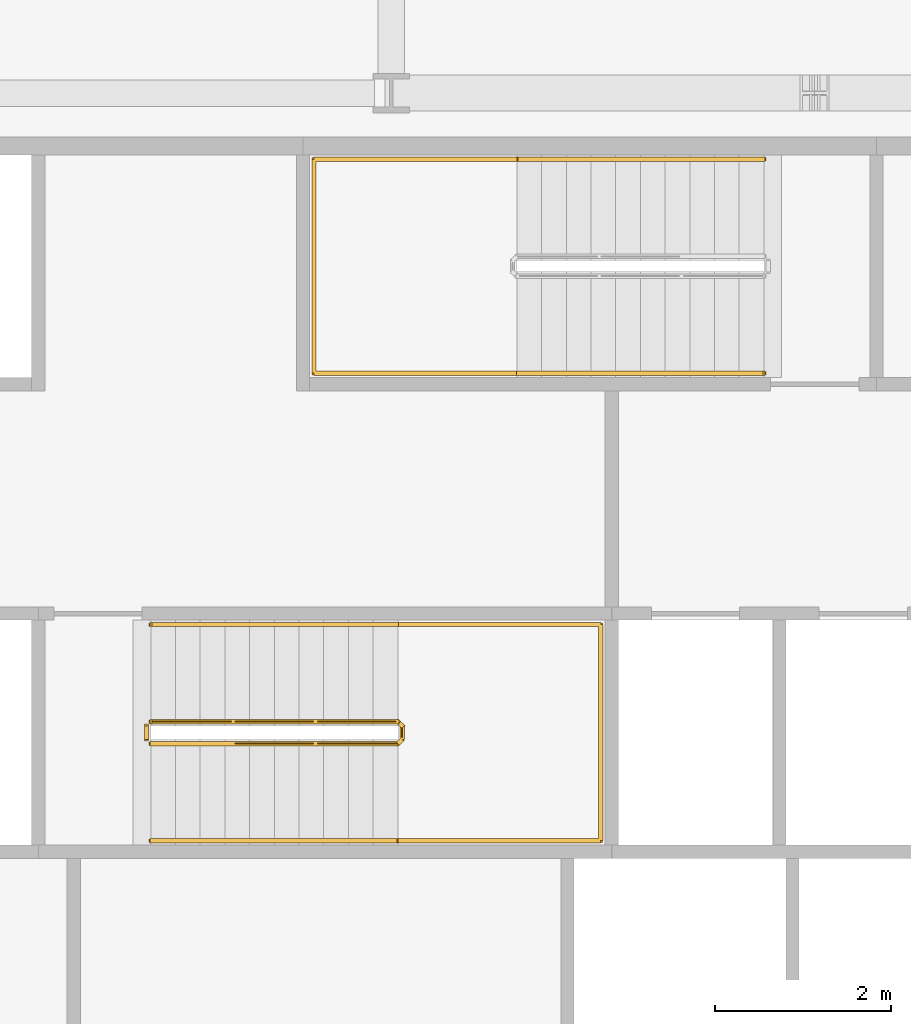
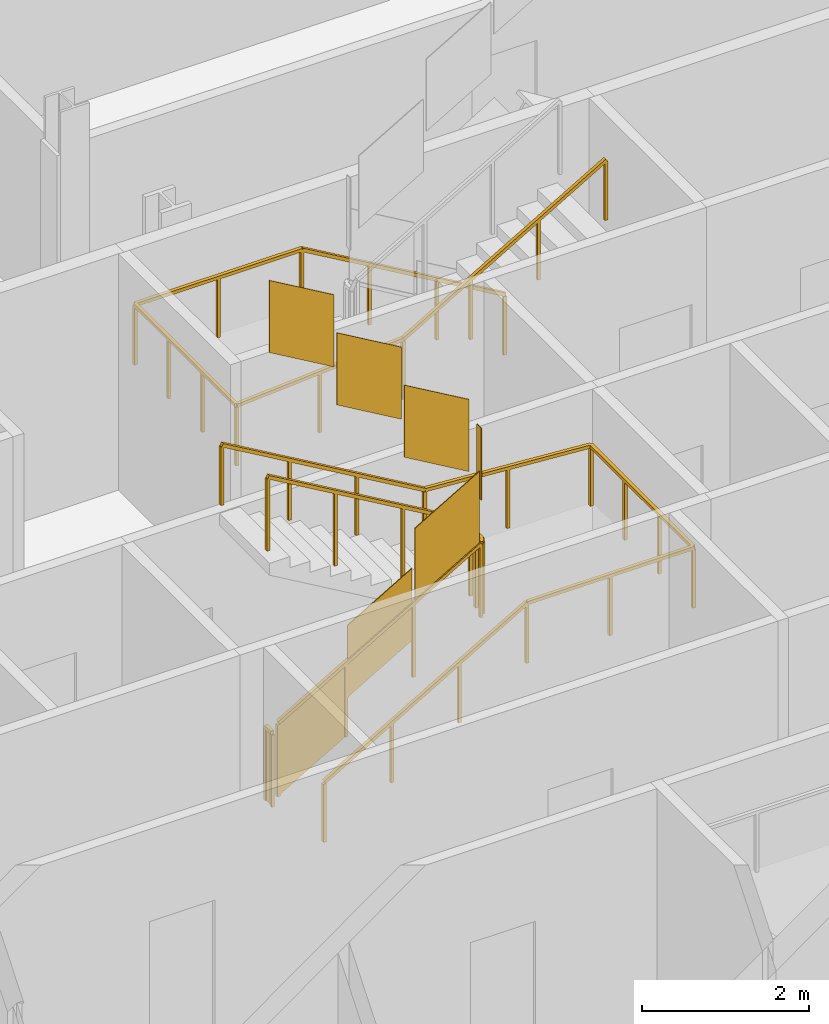
# One storey, part 16 of 21: 4 railings.
"""IFC4 building model written with IfcOpenShell, lengths in metres."""

from ifc_helpers import new_model, si_unit, direction, frame, origin, origin_2d, place, context, subcontext, project, spatial, polyline, rectangle, outline, extrude, material, type_object, element, save


model = new_model("IFC4")

# Units and contexts
model_context = context("Model", 3, precision=1e-05, world=origin(), true_north=direction((0.0, 1.0)))
body_context = subcontext(model_context, "Body", "Model", "MODEL_VIEW")
ifc_project = project(units=[si_unit("LENGTHUNIT", "METRE"), si_unit("AREAUNIT", "SQUARE_METRE"), si_unit("VOLUMEUNIT", "CUBIC_METRE"), si_unit("PLANEANGLEUNIT", "RADIAN"), si_unit("MASSUNIT", "GRAM", prefix="KILO")], contexts=[model_context])

# Site, building, storey
site_placement = place(None, origin())
site = spatial("IfcSite", under=ifc_project, at=site_placement, CompositionType="ELEMENT")
building_placement = place(site_placement, origin())
building = spatial("IfcBuilding", under=site, at=building_placement, Name="Cairn Pilgrim Tower", CompositionType="ELEMENT")
storey_placement = place(building_placement, frame((0.0, 0.0, 179.39990234375)))
storey = spatial("IfcBuildingStorey", under=building, at=storey_placement, Name="L45", CompositionType="ELEMENT", Elevation=179.39990234375)

# Railings
ifc_material = material(Name="Painted steel", Category="steel")
railing_type_1 = type_object("IfcRailingType", Name="STAIR GUARD 1100", PredefinedType="GUARDRAIL", material=ifc_material)
railing_1_placement = place(storey_placement, frame((4.47509765625, 3.425048828125, 0.163818359375)))
element("IfcRailing", 1, at=railing_1_placement, inside=storey, type_object=railing_type_1, Name="L45 ST-B stair guard 1", PredefinedType="GUARDRAIL", context=body_context, shape_type="SweptSolid", body=[
    extrude(rectangle(XDim=0.048095703125, YDim=0.048095703125, at=origin_2d()), frame((0.0, 0.0, 1.076171875), z_axis=(0.863374499697, 0.0, 0.504563646405), x_axis=(0.0, 1.0, 0.0)), (0.0, 0.0, 1.0), 3.242919921875),
    extrude(rectangle(XDim=0.048095703125, YDim=0.048095703125, at=origin_2d()), frame((2.7998046875, 0.0, 2.71240234375), z_axis=(0.707106781187, 0.707106781187, 0.0), x_axis=(-0.707106781187, 0.707106781187, 0.0)), (0.0, 0.0, 1.0), 0.07080078125),
    extrude(rectangle(XDim=0.048095703125, YDim=0.048095703125, at=origin_2d()), frame((2.849853515625, 0.050048828125, 2.71240234375), z_axis=(0.0, 1.0, 0.0), x_axis=(-1.0, 0.0, 0.0)), (0.0, 0.0, 1.0), 0.14990234375),
    extrude(rectangle(XDim=0.048095703125, YDim=0.048095703125, at=origin_2d()), frame((2.849853515625, 0.199951171875, 2.71240234375), z_axis=(-0.280808744504, 0.280808744504, 0.917765164963), x_axis=(-0.707106781187, -0.707106781187, 0.0)), (0.0, 0.0, 1.0), 0.17822265625),
    extrude(rectangle(XDim=0.048095703125, YDim=0.048095703125, at=origin_2d()), frame((2.7998046875, 0.25, 2.8759765625), z_axis=(-0.863341702679, 0.0, 0.504619762213), x_axis=(0.0, -1.0, 0.0)), (0.0, 0.0, 1.0), 3.242919921875),
    extrude(rectangle(XDim=0.0419921875, YDim=0.0419921875, at=origin_2d()), origin(), (0.0, 0.0, 1.0), 1.052001953125),
    extrude(rectangle(XDim=0.0419921875, YDim=0.0419921875, at=origin_2d()), frame((0.933349609375, 0.0, 0.54541015625)), (0.0, 0.0, 1.0), 1.052001953125),
    extrude(rectangle(XDim=0.0419921875, YDim=0.0419921875, at=origin_2d()), frame((1.866455078125, 0.0, 1.0908203125)), (0.0, 0.0, 1.0), 1.052001953125),
    extrude(rectangle(XDim=0.0419921875, YDim=0.0419921875, at=origin_2d()), frame((2.7998046875, 0.0, 1.63623046875)), (0.0, 0.0, 1.0), 1.052001953125),
    extrude(rectangle(XDim=0.0419921875, YDim=0.0419921875, at=origin_2d()), frame((2.849853515625, 0.050048828125, 1.63623046875)), (0.0, 0.0, 1.0), 1.052001953125),
    extrude(rectangle(XDim=0.0419921875, YDim=0.0419921875, at=origin_2d()), frame((2.849853515625, 0.199951171875, 1.63623046875)), (0.0, 0.0, 1.0), 1.052001953125),
    extrude(rectangle(XDim=0.0419921875, YDim=0.0419921875, at=origin_2d()), frame((2.7998046875, 0.25, 1.7998046875)), (0.0, 0.0, 1.0), 1.052001953125),
    extrude(rectangle(XDim=0.0419921875, YDim=0.0419921875, at=origin_2d()), frame((1.866455078125, 0.25, 2.34521484375)), (0.0, 0.0, 1.0), 1.052001953125),
    extrude(rectangle(XDim=0.0419921875, YDim=0.0419921875, at=origin_2d()), frame((0.933349609375, 0.25, 2.890869140625)), (0.0, 0.0, 1.0), 1.052001953125),
    extrude(rectangle(XDim=0.0419921875, YDim=0.0419921875, at=origin_2d()), frame((0.0, 0.25, 3.436279296875)), (0.0, 0.0, 1.0), 1.052001953125),
    extrude(outline(polyline([(0.02099609375, 0.01220703125), (0.912353515625, 0.533203125), (0.912353515625, 1.585205078125), (0.02099609375, 1.064208984375), (0.02099609375, 0.01220703125)])), frame((0.0, 0.005859375, 0.0), z_axis=(0.0, -1.0, 0.0), x_axis=(1.0, 0.0, 0.0)), (0.0, 0.0, 1.0), 0.011962890625),
    extrude(outline(polyline([(0.02099609375, 0.5576171875), (0.912353515625, 1.07861328125), (0.912353515625, 2.130615234375), (0.02099609375, 1.609619140625), (0.02099609375, 0.5576171875)])), frame((0.933349609375, 0.005859375, 0.54541015625), z_axis=(0.0, -1.0, 0.0), x_axis=(1.0, 0.0, 0.0)), (0.0, 0.0, 1.0), 0.011962890625),
    extrude(outline(polyline([(0.02099609375, 1.10302734375), (0.912353515625, 1.6240234375), (0.912353515625, 2.676025390625), (0.02099609375, 2.155029296875), (0.02099609375, 1.10302734375)])), frame((1.866455078125, 0.005859375, 1.0908203125), z_axis=(0.0, -1.0, 0.0), x_axis=(1.0, 0.0, 0.0)), (0.0, 0.0, 1.0), 0.011962890625),
    extrude(outline(polyline([(0.02099609375, 1.63623046875), (0.12890625, 1.63623046875), (0.12890625, 2.688232421875), (0.02099609375, 2.688232421875), (0.02099609375, 1.63623046875)])), frame((2.84375, 0.050048828125, 1.63623046875), z_axis=(1.0, 0.0, 0.0), x_axis=(0.0, 1.0, 0.0)), (0.0, 0.0, 1.0), 0.011962890625),
    extrude(outline(polyline([(0.02099609375, 1.81201171875), (0.912353515625, 2.3330078125), (0.912353515625, 3.385009765625), (0.02099609375, 2.864013671875), (0.02099609375, 1.81201171875)])), frame((2.7998046875, 0.244140625, 1.7998046875), z_axis=(0.0, 1.0, 0.0), x_axis=(-1.0, 0.0, 0.0)), (0.0, 0.0, 1.0), 0.011962890625),
    extrude(outline(polyline([(0.02099609375, 2.357666015625), (0.912353515625, 2.87841796875), (0.912353515625, 3.930419921875), (0.02099609375, 3.40966796875), (0.02099609375, 2.357666015625)])), frame((1.866455078125, 0.244140625, 2.34521484375), z_axis=(0.0, 1.0, 0.0), x_axis=(-1.0, 0.0, 0.0)), (0.0, 0.0, 1.0), 0.011962890625),
    extrude(outline(polyline([(0.02099609375, 2.903076171875), (0.912353515625, 3.424072265625), (0.912353515625, 4.47607421875), (0.02099609375, 3.955078125), (0.02099609375, 2.903076171875)])), frame((0.933349609375, 0.244140625, 2.890869140625), z_axis=(0.0, 1.0, 0.0), x_axis=(-1.0, 0.0, 0.0)), (0.0, 0.0, 1.0), 0.011962890625),
])
railing_2_placement = place(storey_placement, frame((4.425048828125, 3.47509765625, 0.0)))
element("IfcRailing", 2, at=railing_2_placement, inside=storey, type_object=railing_type_1, Name="L45 ST-B stair guard 2", PredefinedType="GUARDRAIL", context=body_context, shape_type="SweptSolid", body=[
    extrude(rectangle(XDim=0.048095703125, YDim=0.048095703125, at=origin_2d()), frame((0.0, 0.0, 1.076171875), z_axis=(0.0, 1.0, 0.0), x_axis=(-1.0, 0.0, 0.0)), (0.0, 0.0, 1.0), 0.14990234375),
    extrude(rectangle(XDim=0.0419921875, YDim=0.0419921875, at=origin_2d()), origin(), (0.0, 0.0, 1.0), 1.052001953125),
    extrude(rectangle(XDim=0.0419921875, YDim=0.0419921875, at=origin_2d()), frame((0.0, 0.14990234375, 0.0)), (0.0, 0.0, 1.0), 1.052001953125),
    extrude(outline(polyline([(0.02099609375, 0.0), (0.12890625, 0.0), (0.12890625, 1.052001953125), (0.02099609375, 1.052001953125), (0.02099609375, 0.0)])), frame((-0.005859375, 0.0, 0.0), z_axis=(1.0, 0.0, 0.0), x_axis=(0.0, 1.0, 0.0)), (0.0, 0.0, 1.0), 0.011962890625),
])
railing_type_2 = type_object("IfcRailingType", Name="STAIR HANDRAIL 900", PredefinedType="HANDRAIL", material=ifc_material)
railing_3_placement = place(storey_placement, frame((4.47509765625, 2.324951171875, 0.163818359375)))
element("IfcRailing", 3, at=railing_3_placement, inside=storey, type_object=railing_type_2, Name="L45 ST-B stair handrail 1", PredefinedType="HANDRAIL", context=body_context, shape_type="SweptSolid", body=[
    extrude(rectangle(XDim=0.048095703125, YDim=0.048095703125, at=origin_2d()), frame((0.0, 0.0, 0.8759765625), z_axis=(0.863374499697, 0.0, 0.504563646405), x_axis=(0.0, 1.0, 0.0)), (0.0, 0.0, 1.0), 3.242919921875),
    extrude(rectangle(XDim=0.048095703125, YDim=0.048095703125, at=origin_2d()), frame((2.7998046875, 0.0, 2.51220703125), z_axis=(1.0, 0.0, 0.0), x_axis=(0.0, 1.0, 0.0)), (0.0, 0.0, 1.0), 2.300048828125),
    extrude(rectangle(XDim=0.048095703125, YDim=0.048095703125, at=origin_2d()), frame((5.099853515625, 0.0, 2.51220703125), z_axis=(0.0, 1.0, 0.0), x_axis=(-1.0, 0.0, 0.0)), (0.0, 0.0, 1.0), 2.449951171875),
    extrude(rectangle(XDim=0.048095703125, YDim=0.048095703125, at=origin_2d()), frame((5.099853515625, 2.449951171875, 2.51220703125), z_axis=(-0.997480687736, 0.0, 0.070938548008), x_axis=(0.0, -1.0, 0.0)), (0.0, 0.0, 1.0), 2.305908203125),
    extrude(rectangle(XDim=0.048095703125, YDim=0.048095703125, at=origin_2d()), frame((2.7998046875, 2.449951171875, 2.67578125), z_axis=(-0.863341702679, 0.0, 0.504619762213), x_axis=(0.0, -1.0, 0.0)), (0.0, 0.0, 1.0), 3.242919921875),
    extrude(rectangle(XDim=0.0419921875, YDim=0.0419921875, at=origin_2d()), origin(), (0.0, 0.0, 1.0), 0.851806640625),
    extrude(rectangle(XDim=0.0419921875, YDim=0.0419921875, at=origin_2d()), frame((0.933349609375, 0.0, 0.54541015625)), (0.0, 0.0, 1.0), 0.851806640625),
    extrude(rectangle(XDim=0.0419921875, YDim=0.0419921875, at=origin_2d()), frame((1.866455078125, 0.0, 1.0908203125)), (0.0, 0.0, 1.0), 0.851806640625),
    extrude(rectangle(XDim=0.0419921875, YDim=0.0419921875, at=origin_2d()), frame((2.7998046875, 0.0, 1.63623046875)), (0.0, 0.0, 1.0), 0.851806640625),
    extrude(rectangle(XDim=0.0419921875, YDim=0.0419921875, at=origin_2d()), frame((3.94970703125, 0.0, 1.63623046875)), (0.0, 0.0, 1.0), 0.851806640625),
    extrude(rectangle(XDim=0.0419921875, YDim=0.0419921875, at=origin_2d()), frame((5.099853515625, 0.0, 1.63623046875)), (0.0, 0.0, 1.0), 0.851806640625),
    extrude(rectangle(XDim=0.0419921875, YDim=0.0419921875, at=origin_2d()), frame((5.099853515625, 0.816650390625, 1.63623046875)), (0.0, 0.0, 1.0), 0.851806640625),
    extrude(rectangle(XDim=0.0419921875, YDim=0.0419921875, at=origin_2d()), frame((5.099853515625, 1.63330078125, 1.63623046875)), (0.0, 0.0, 1.0), 0.851806640625),
    extrude(rectangle(XDim=0.0419921875, YDim=0.0419921875, at=origin_2d()), frame((5.099853515625, 2.449951171875, 1.63623046875)), (0.0, 0.0, 1.0), 0.851806640625),
    extrude(rectangle(XDim=0.0419921875, YDim=0.0419921875, at=origin_2d()), frame((3.94970703125, 2.449951171875, 1.718017578125)), (0.0, 0.0, 1.0), 0.851806640625),
    extrude(rectangle(XDim=0.0419921875, YDim=0.0419921875, at=origin_2d()), frame((2.7998046875, 2.449951171875, 1.7998046875)), (0.0, 0.0, 1.0), 0.851806640625),
    extrude(rectangle(XDim=0.0419921875, YDim=0.0419921875, at=origin_2d()), frame((1.866455078125, 2.449951171875, 2.34521484375)), (0.0, 0.0, 1.0), 0.851806640625),
    extrude(rectangle(XDim=0.0419921875, YDim=0.0419921875, at=origin_2d()), frame((0.933349609375, 2.449951171875, 2.890869140625)), (0.0, 0.0, 1.0), 0.851806640625),
    extrude(rectangle(XDim=0.0419921875, YDim=0.0419921875, at=origin_2d()), frame((0.0, 2.449951171875, 3.436279296875)), (0.0, 0.0, 1.0), 0.851806640625),
])
railing_4_placement = place(storey_placement, frame((11.425048828125, 10.050048828125, 0.163818359375)))
element("IfcRailing", 4, at=railing_4_placement, inside=storey, type_object=railing_type_2, Name="L45 ST-C stair handrail 1", PredefinedType="HANDRAIL", context=body_context, shape_type="SweptSolid", body=[
    extrude(rectangle(XDim=0.048095703125, YDim=0.048095703125, at=origin_2d()), frame((0.0, 0.0, 0.8759765625), z_axis=(-0.863393664356, 0.0, 0.504530851732), x_axis=(0.0, -1.0, 0.0)), (0.0, 0.0, 1.0), 3.2431640625),
    extrude(rectangle(XDim=0.048095703125, YDim=0.048095703125, at=origin_2d()), frame((-2.800048828125, 0.0, 2.51220703125), z_axis=(-1.0, 0.0, 0.0), x_axis=(0.0, -1.0, 0.0)), (0.0, 0.0, 1.0), 2.300048828125),
    extrude(rectangle(XDim=0.048095703125, YDim=0.048095703125, at=origin_2d()), frame((-5.10009765625, 0.0, 2.51220703125), z_axis=(0.0, -1.0, 0.0), x_axis=(1.0, 0.0, 0.0)), (0.0, 0.0, 1.0), 2.425048828125),
    extrude(rectangle(XDim=0.048095703125, YDim=0.048095703125, at=origin_2d()), frame((-5.10009765625, -2.425048828125, 2.51220703125), z_axis=(0.997480687736, 0.0, 0.070938548008), x_axis=(0.0, 1.0, 0.0)), (0.0, 0.0, 1.0), 2.305908203125),
    extrude(rectangle(XDim=0.048095703125, YDim=0.048095703125, at=origin_2d()), frame((-2.800048828125, -2.425048828125, 2.67578125), z_axis=(0.863360870873, 0.0, 0.504586966384), x_axis=(0.0, 1.0, 0.0)), (0.0, 0.0, 1.0), 3.2431640625),
    extrude(rectangle(XDim=0.0419921875, YDim=0.0419921875, at=origin_2d()), origin(), (0.0, 0.0, 1.0), 0.851806640625),
    extrude(rectangle(XDim=0.0419921875, YDim=0.0419921875, at=origin_2d()), frame((-0.933349609375, 0.0, 0.54541015625)), (0.0, 0.0, 1.0), 0.851806640625),
    extrude(rectangle(XDim=0.0419921875, YDim=0.0419921875, at=origin_2d()), frame((-1.86669921875, 0.0, 1.0908203125)), (0.0, 0.0, 1.0), 0.851806640625),
    extrude(rectangle(XDim=0.0419921875, YDim=0.0419921875, at=origin_2d()), frame((-2.800048828125, 0.0, 1.63623046875)), (0.0, 0.0, 1.0), 0.851806640625),
    extrude(rectangle(XDim=0.0419921875, YDim=0.0419921875, at=origin_2d()), frame((-3.9501953125, 0.0, 1.63623046875)), (0.0, 0.0, 1.0), 0.851806640625),
    extrude(rectangle(XDim=0.0419921875, YDim=0.0419921875, at=origin_2d()), frame((-5.10009765625, 0.0, 1.63623046875)), (0.0, 0.0, 1.0), 0.851806640625),
    extrude(rectangle(XDim=0.0419921875, YDim=0.0419921875, at=origin_2d()), frame((-5.10009765625, -0.808349609375, 1.63623046875)), (0.0, 0.0, 1.0), 0.851806640625),
    extrude(rectangle(XDim=0.0419921875, YDim=0.0419921875, at=origin_2d()), frame((-5.10009765625, -1.61669921875, 1.63623046875)), (0.0, 0.0, 1.0), 0.851806640625),
    extrude(rectangle(XDim=0.0419921875, YDim=0.0419921875, at=origin_2d()), frame((-5.10009765625, -2.425048828125, 1.63623046875)), (0.0, 0.0, 1.0), 0.851806640625),
    extrude(rectangle(XDim=0.0419921875, YDim=0.0419921875, at=origin_2d()), frame((-3.9501953125, -2.425048828125, 1.718017578125)), (0.0, 0.0, 1.0), 0.851806640625),
    extrude(rectangle(XDim=0.0419921875, YDim=0.0419921875, at=origin_2d()), frame((-2.800048828125, -2.425048828125, 1.7998046875)), (0.0, 0.0, 1.0), 0.851806640625),
    extrude(rectangle(XDim=0.0419921875, YDim=0.0419921875, at=origin_2d()), frame((-1.86669921875, -2.425048828125, 2.34521484375)), (0.0, 0.0, 1.0), 0.851806640625),
    extrude(rectangle(XDim=0.0419921875, YDim=0.0419921875, at=origin_2d()), frame((-0.933349609375, -2.425048828125, 2.890869140625)), (0.0, 0.0, 1.0), 0.851806640625),
    extrude(rectangle(XDim=0.0419921875, YDim=0.0419921875, at=origin_2d()), frame((0.0, -2.425048828125, 3.436279296875)), (0.0, 0.0, 1.0), 0.851806640625),
])

save(model, "model.ifc")
